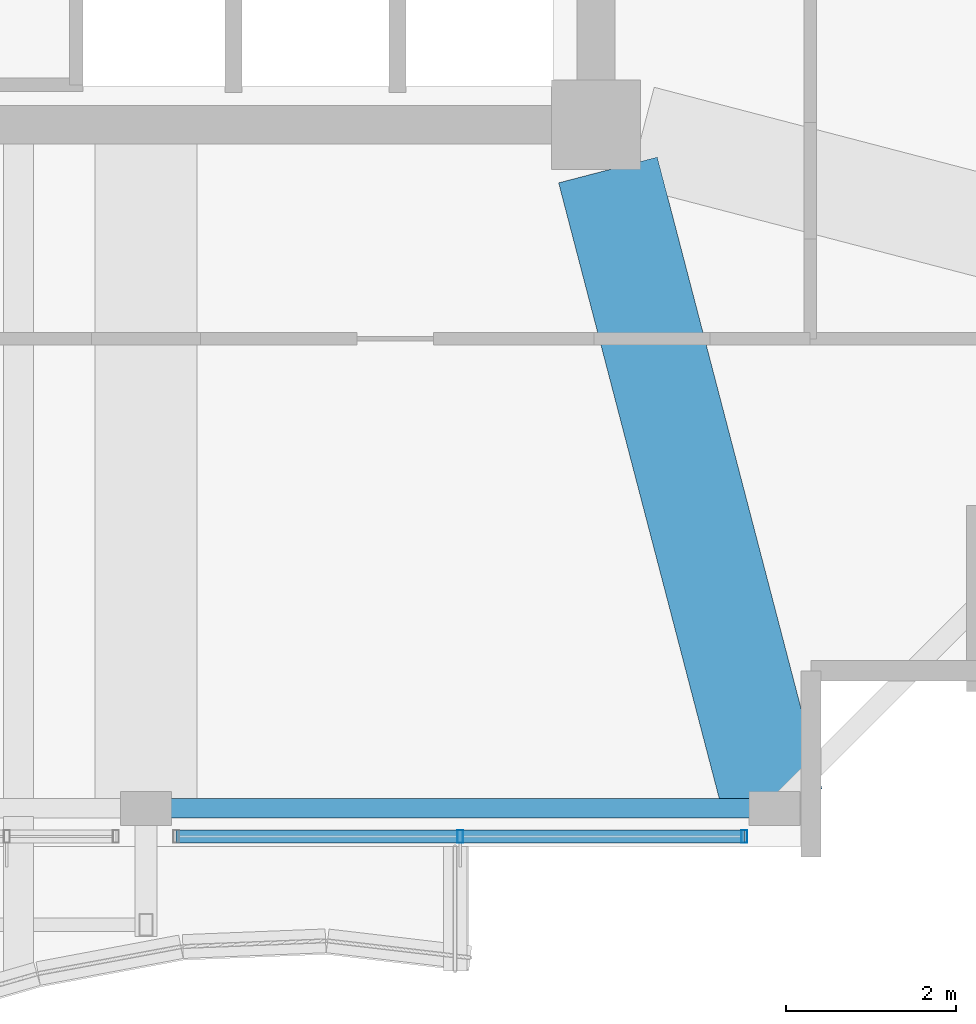
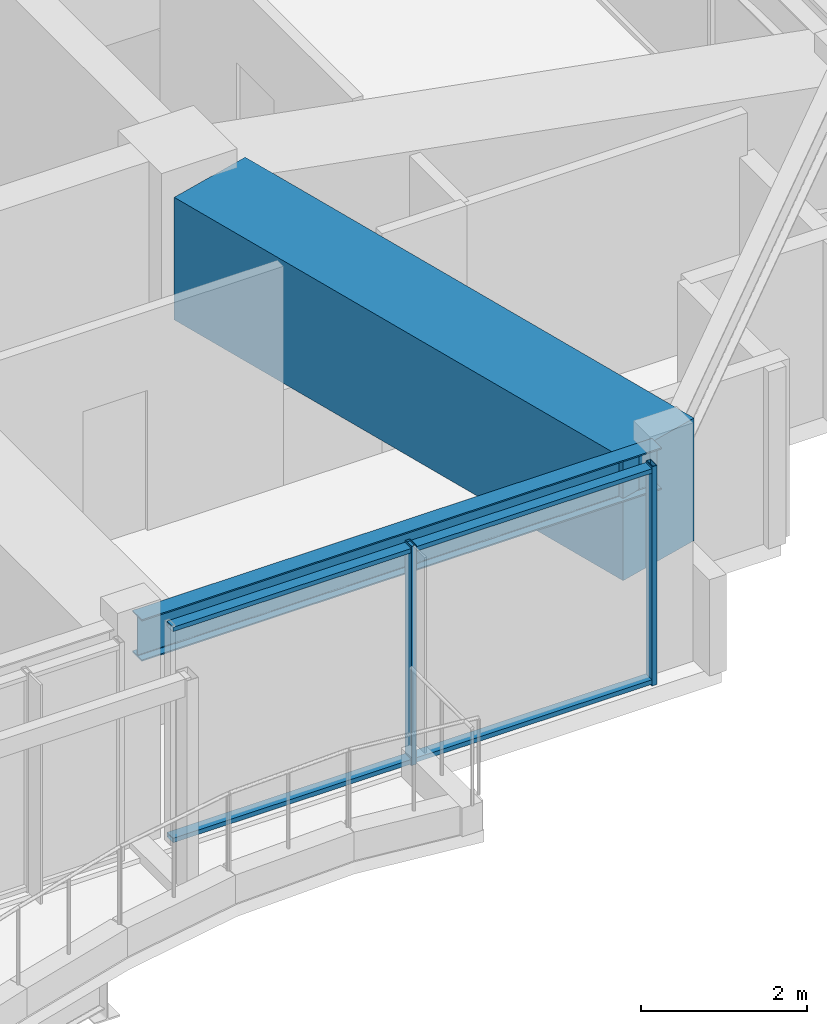
# One storey, part 6 of 30: 4 members, 2 beams, 1 element without a shape of its own.
"""IFC4 building model written with IfcOpenShell, lengths in metres."""

from ifc_helpers import new_model, si_unit, direction, frame, origin, origin_2d, place, context, subcontext, project, spatial, rectangle, hollow_rectangle, i_section, extrude, material, material_profile, profile_set, type_object, element, aggregate, save


model = new_model("IFC4")

# Units and contexts
model_context = context("Model", 3, precision=1e-05, world=origin(), true_north=direction((0.0, 1.0)))
body_context = subcontext(model_context, "Body", "Model", "MODEL_VIEW")
ifc_project = project(units=[si_unit("LENGTHUNIT", "METRE"), si_unit("AREAUNIT", "SQUARE_METRE"), si_unit("VOLUMEUNIT", "CUBIC_METRE"), si_unit("PLANEANGLEUNIT", "RADIAN"), si_unit("MASSUNIT", "GRAM", prefix="KILO")], contexts=[model_context])

# Site, building, storey
site_placement = place(None, origin())
site = spatial("IfcSite", under=ifc_project, at=site_placement, CompositionType="ELEMENT")
building_placement = place(site_placement, origin())
building = spatial("IfcBuilding", under=site, at=building_placement, Name="Kolvaren Belvedere", CompositionType="ELEMENT")
storey_placement = place(building_placement, frame((0.0, 0.0, 254.89990234375)))
storey = spatial("IfcBuildingStorey", under=building, at=storey_placement, Name="L74", CompositionType="ELEMENT", Elevation=254.89990234375)

# Beams
ifc_material_1 = material(Name="Structural steel ASTM A992 Grade 50", Category="steel")
ifc_material_profile_1 = material_profile(ifc_material_1, i_section(OverallWidth=0.22900390625, OverallDepth=0.612060546875, WebThickness=0.011962890625, FlangeThickness=0.01953125, FilletRadius=0.01806640625, at=origin_2d()), Name="W24X84")
ifc_profile_set_1 = profile_set([ifc_material_profile_1], Name="Structural steel ASTM A992 Grade 50")
beam_type_1 = type_object("IfcBeamType", Name="BM-SPAN-W24X84", PredefinedType="SPANDREL", material=ifc_profile_set_1)
beam_1_placement = place(storey_placement, frame((4.68994140625, -17.949951171875, 2.9140625), z_axis=(1.0, 0.0, 0.0), x_axis=(0.0, 1.0, 0.0)))
element("IfcBeam", 1, at=beam_1_placement, inside=storey, type_object=beam_type_1, Name="L74 Perimeter Spandrel S3-S4", PredefinedType="SPANDREL", context=body_context, shape_type="SweptSolid", body=[
    extrude(i_section(OverallWidth=0.22900390625, OverallDepth=0.612060546875, WebThickness=0.011962890625, FlangeThickness=0.01953125, FilletRadius=0.01806640625, at=origin_2d()), origin(), (0.0, 0.0, 1.0), 7.219970703125),
])
ifc_material_2 = material(Name="Concrete C50/60", Category="concrete")
ifc_material_profile_2 = material_profile(ifc_material_2, rectangle(XDim=1.199951171875, YDim=1.800048828125, at=origin_2d()), Name="RC 1200X1800")
ifc_profile_set_2 = profile_set([ifc_material_profile_2], Name="Concrete C50/60")
beam_type_2 = type_object("IfcBeamType", Name="BM-TG-1800", PredefinedType="BEAM", material=ifc_profile_set_2)
beam_2_placement = place(storey_placement, frame((10.038818359375, -10.43212890625, 2.320068359375), z_axis=(0.252414142221, -0.967619295388, 0.0), x_axis=(0.967619295388, 0.252414142221, 0.0)))
element("IfcBeam", 2, at=beam_2_placement, inside=storey, type_object=beam_type_2, Name="L74 Corner Core-to-Perimeter Girder CC2-S4", PredefinedType="BEAM", context=body_context, shape_type="SweptSolid", body=[
    extrude(rectangle(XDim=1.199951171875, YDim=1.800048828125, at=origin_2d()), origin(), (0.0, 0.0, 1.0), 7.689453125),
])

# Curtain wall, members
ifc_material_3 = material(Name="Anodised pale-metal aluminium AA 6063-T6", Category="aluminium")
curtain_wall_type = type_object("IfcCurtainWallType", Name="CW-Z5-HIGH", PredefinedType="NOTDEFINED", material=ifc_material_3)
curtain_wall_placement = place(storey_placement, origin())
curtain_wall = element("IfcCurtainWall", 3, at=curtain_wall_placement, inside=storey, type_object=curtain_wall_type, Name="L74 Unitised Curtain Wall FCW-L74-S1-B1", PredefinedType="NOTDEFINED")
ifc_material_4 = material(Name="Anodised pale-metal aluminium AA 6063-T6", Category="aluminium")
ifc_material_profile_3 = material_profile(ifc_material_4, hollow_rectangle(XDim=0.070068359375, YDim=0.14990234375, WallThickness=0.004150390625, at=origin_2d()), Name="ALU-MUL-150X70")
ifc_profile_set_3 = profile_set([ifc_material_profile_3], Name="Anodised pale-metal aluminium AA 6063-T6")
member_type_1 = type_object("IfcMemberType", Name="CW-MUL-150", PredefinedType="MULLION", material=ifc_profile_set_3)
member_1_placement = place(storey_placement, frame((11.64501953125, -18.280029296875, 0.0), z_axis=(0.0, 0.0, 1.0), x_axis=(1.0, 0.0, 0.0)))
member_1 = element("IfcMember", 4, at=member_1_placement, type_object=member_type_1, Name="FCW-L74-S1-B1 Unitised Mullion 1", PredefinedType="MULLION", context=body_context, shape_type="SweptSolid", body=[
    extrude(hollow_rectangle(XDim=0.070068359375, YDim=0.14990234375, WallThickness=0.004150390625, at=origin_2d()), origin(), (0.0, 0.0, 1.0), 3.22021484375),
])
member_2_placement = place(storey_placement, frame((8.300048828125, -18.280029296875, 0.0), z_axis=(0.0, 0.0, 1.0), x_axis=(1.0, 0.0, 0.0)))
member_2 = element("IfcMember", 5, at=member_2_placement, type_object=member_type_1, Name="FCW-L74-S1-B1 Unitised Mullion 2", PredefinedType="MULLION", context=body_context, shape_type="SweptSolid", body=[
    extrude(hollow_rectangle(XDim=0.070068359375, YDim=0.14990234375, WallThickness=0.004150390625, at=origin_2d()), origin(), (0.0, 0.0, 1.0), 3.22021484375),
])
ifc_material_5 = material(Name="Anodised pale-metal aluminium AA 6063-T6", Category="aluminium")
ifc_material_profile_4 = material_profile(ifc_material_5, hollow_rectangle(XDim=0.06494140625, YDim=0.14990234375, WallThickness=0.00390625, at=origin_2d()), Name="ALU-TRN-150X65")
ifc_profile_set_4 = profile_set([ifc_material_profile_4], Name="Anodised pale-metal aluminium AA 6063-T6")
member_type_2 = type_object("IfcMemberType", Name="CW-TRN-150", PredefinedType="USERDEFINED", material=ifc_profile_set_4)
member_3_placement = place(storey_placement, frame((11.64501953125, -18.280029296875, 0.06005859375), z_axis=(-1.0, 0.0, 0.0), x_axis=(0.0, 0.0, 1.0)))
member_3 = element("IfcMember", 6, at=member_3_placement, type_object=member_type_2, Name="FCW-L74-S1-B1 Sill Transom", ObjectType="TRANSOM", PredefinedType="USERDEFINED", context=body_context, shape_type="SweptSolid", body=[
    extrude(hollow_rectangle(XDim=0.06494140625, YDim=0.14990234375, WallThickness=0.00390625, at=origin_2d()), origin(), (0.0, 0.0, 1.0), 6.68994140625),
])
member_4_placement = place(storey_placement, frame((11.64501953125, -18.280029296875, 3.16015625), z_axis=(-1.0, 0.0, 0.0), x_axis=(0.0, 0.0, 1.0)))
member_4 = element("IfcMember", 7, at=member_4_placement, type_object=member_type_2, Name="FCW-L74-S1-B1 Head Transom", ObjectType="TRANSOM", PredefinedType="USERDEFINED", context=body_context, shape_type="SweptSolid", body=[
    extrude(hollow_rectangle(XDim=0.06494140625, YDim=0.14990234375, WallThickness=0.00390625, at=origin_2d()), origin(), (0.0, 0.0, 1.0), 6.68994140625),
])
aggregate(curtain_wall, [member_1, member_2, member_3, member_4])

save(model, "model.ifc")
